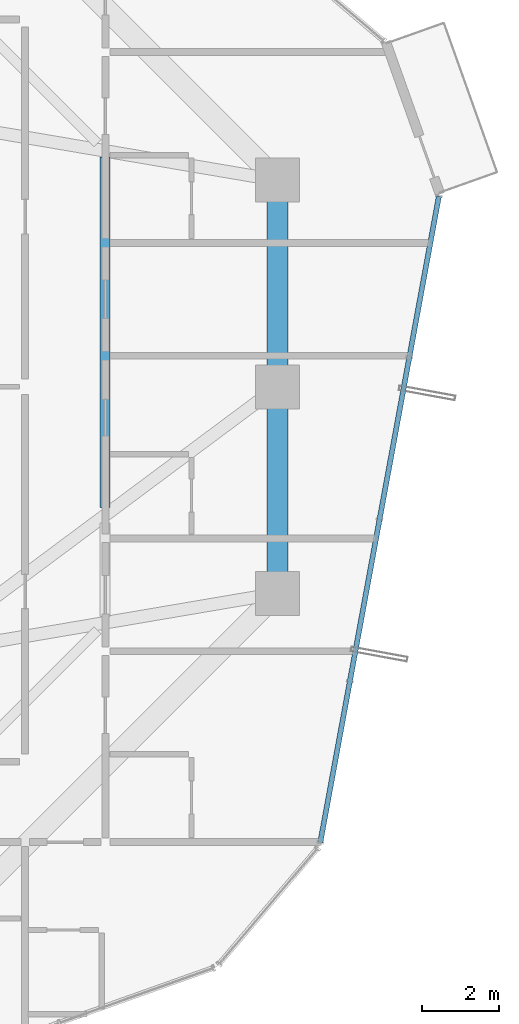
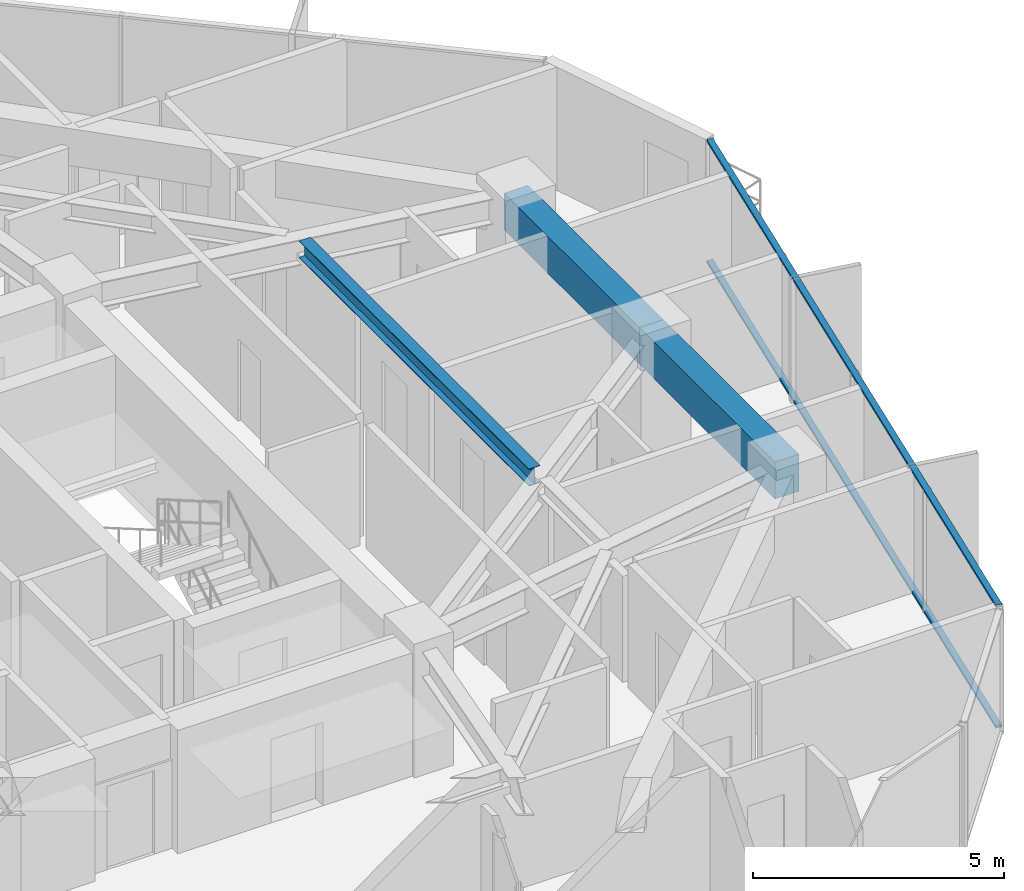
# One storey, part 18 of 33: 3 beams, 2 members, 1 element without a shape of its own.
"""IFC4 building model written with IfcOpenShell, lengths in metres."""

from ifc_helpers import new_model, si_unit, direction, frame, origin, origin_2d, place, context, subcontext, project, spatial, rectangle, hollow_rectangle, i_section, extrude, source, transform, mapped, material, layer, layer_set, material_profile, profile_set, type_object, element, aggregate, save


model = new_model("IFC4")

# Units and contexts
model_context = context("Model", 3, precision=1e-05, world=origin(), true_north=direction((0.0, 1.0)))
body_context = subcontext(model_context, "Body", "Model", "MODEL_VIEW")
ifc_project = project(units=[si_unit("LENGTHUNIT", "METRE"), si_unit("AREAUNIT", "SQUARE_METRE"), si_unit("VOLUMEUNIT", "CUBIC_METRE"), si_unit("PLANEANGLEUNIT", "RADIAN"), si_unit("MASSUNIT", "GRAM", prefix="KILO")], contexts=[model_context])

# Site, building, storey
site_placement = place(None, origin())
site = spatial("IfcSite", under=ifc_project, at=site_placement, CompositionType="ELEMENT")
building_placement = place(site_placement, origin())
building = spatial("IfcBuilding", under=site, at=building_placement, Name="Veraguas Prism Commons", CompositionType="ELEMENT")
storey_placement = place(building_placement, frame((0.0, 0.0, 92.699951171875)))
storey = spatial("IfcBuildingStorey", under=building, at=storey_placement, Name="L25", CompositionType="ELEMENT", Elevation=92.699951171875)

# Beams
ifc_material_1 = material(Name="Steel ASTM A992 Grade 50", Category="steel")
ifc_material_profile_1 = material_profile(ifc_material_1, i_section(OverallWidth=0.260986328125, OverallDepth=0.419921875, WebThickness=0.01171875, FlangeThickness=0.019287109375, at=origin_2d()), Name="W410X114")
ifc_profile_set_1 = profile_set([ifc_material_profile_1], Name="Steel ASTM A992 Grade 50")
beam_type_1 = type_object("IfcBeamType", Name="Lower Floor Joist W410x114", PredefinedType="JOIST", material=ifc_profile_set_1)
beam_placement = place(storey_placement, frame((35.68798828125, 20.842041015625, 2.7900390625), z_axis=(0.0, 1.0, 0.0), x_axis=(-1.0, 0.0, 0.0)))
element("IfcBeam", 1, at=beam_placement, inside=storey, type_object=beam_type_1, Name="Composite Floor Joist L25-JS02", PredefinedType="JOIST", context=body_context, shape_type="SweptSolid", body=[
    extrude(i_section(OverallWidth=0.260986328125, OverallDepth=0.419921875, WebThickness=0.01171875, FlangeThickness=0.019287109375, at=origin_2d()), origin(), (0.0, 0.0, 1.0), 9.16162109375),
])
ifc_material_2 = material(Name="Concrete C50/60", Category="concrete")
ifc_material_profile_2 = material_profile(ifc_material_2, rectangle(XDim=0.550048828125, YDim=0.89990234375, at=origin_2d()), Name="RC550X900")
ifc_profile_set_2 = profile_set([ifc_material_profile_2], Name="Concrete C50/60")
beam_type_2 = type_object("IfcBeamType", Name="Perimeter Spandrel Lower RC 550x900", PredefinedType="SPANDREL", material=ifc_profile_set_2)
for number, where, z_axis, x_axis, name in (
    (2, (40.199951171875, 18.60009765625, 2.550048828125), (0.0, 1.0, 0.0), (-1.0, 0.0, 0.0), "Perimeter Spandrel Beam L25-SP01"),
    (3, (40.199951171875, 24.0, 2.550048828125), (0.0, 1.0, 0.0), (-1.0, 0.0, 0.0), "Perimeter Spandrel Beam L25-SP02"),
):
    element("IfcBeam", number, at=place(storey_placement, frame(where, z_axis=z_axis, x_axis=x_axis)), inside=storey, type_object=beam_type_2, Name=name, PredefinedType="SPANDREL", context=body_context, shape_type="SweptSolid", body=[
        extrude(rectangle(XDim=0.550048828125, YDim=0.89990234375, at=origin_2d()), origin(), (0.0, 0.0, 1.0), 5.39990234375),
    ])

# Curtain wall, members
ifc_material_3 = material(Name="Anodised aluminium EN AW-6063 T6", Category="aluminium")
ifc_layer = layer(ifc_material_3, 0.169921875, Name="Unitised Flush Curtain Wall Zone 2", Category="aluminium")
ifc_layer_set = layer_set([ifc_layer], Name="Anodised aluminium EN AW-6063 T6")
curtain_wall_type = type_object("IfcCurtainWallType", Name="Unitised Flush Curtain Wall Zone 2", PredefinedType="NOTDEFINED", material=ifc_layer_set)
curtain_wall_placement = place(storey_placement, origin())
curtain_wall = element("IfcCurtainWall", 4, at=curtain_wall_placement, inside=storey, type_object=curtain_wall_type, Name="Tower Facade Curtain Wall L25-F6", PredefinedType="NOTDEFINED")
ifc_material_profile_3 = material_profile(ifc_material_3, hollow_rectangle(XDim=0.054931640625, YDim=0.135009765625, WallThickness=0.0029296875, at=origin_2d()), Name="AL55X135X3")
ifc_profile_set_3 = profile_set([ifc_material_profile_3], Name="Anodised aluminium EN AW-6063 T6")
member_type = type_object("IfcMemberType", Name="Curtain Wall Transom Standard AL 55x135x3", PredefinedType="USERDEFINED", material=ifc_profile_set_3)
shared_shape = source(origin(), body_context, "Body", "SweptSolid", [
    extrude(hollow_rectangle(XDim=0.054931640625, YDim=0.135009765625, WallThickness=0.0029296875, at=origin_2d()), origin(), (0.0, 0.0, 1.0), 17.174560546875),
])
member_1_placement = place(storey_placement, frame((41.317138671875, 12.091064453125, 0.027587890625), z_axis=(0.180520178906, 0.983571281101, 0.0), x_axis=(0.0, 0.0, 1.0)))
member_1 = element("IfcMember", 5, at=member_1_placement, type_object=member_type, Name="CW-Z2 Transom 1", ObjectType="TRANSOM", PredefinedType="USERDEFINED", context=body_context, shape_type="MappedRepresentation", body=[
    mapped(shared_shape, transform((0.0, 0.0, 0.0), scale=1.0)),
])
member_2_placement = place(storey_placement, frame((41.317138671875, 12.091064453125, 2.97265625), z_axis=(0.180520178906, 0.983571281101, 0.0), x_axis=(0.0, 0.0, 1.0)))
member_2 = element("IfcMember", 6, at=member_2_placement, type_object=member_type, Name="CW-Z2 Transom 2", ObjectType="TRANSOM", PredefinedType="USERDEFINED", context=body_context, shape_type="MappedRepresentation", body=[
    mapped(shared_shape, transform((0.0, 0.0, 0.0), scale=1.0)),
])
aggregate(curtain_wall, [member_1, member_2])

save(model, "model.ifc")
